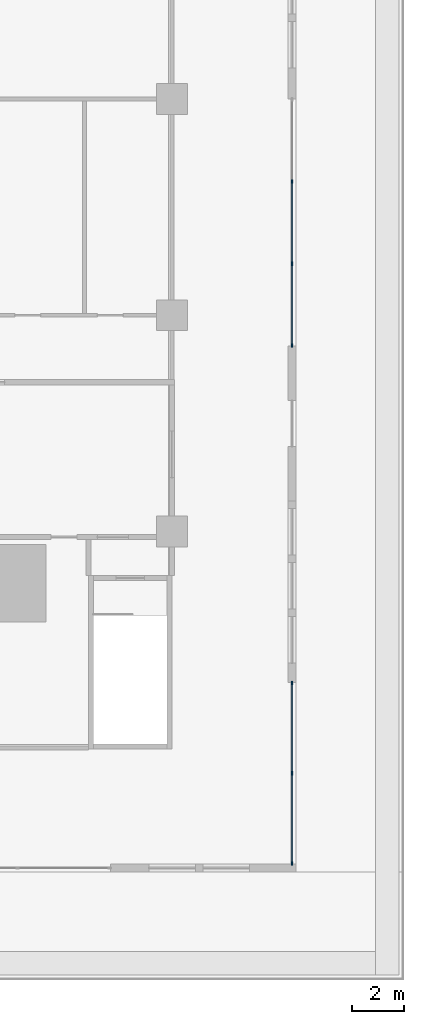
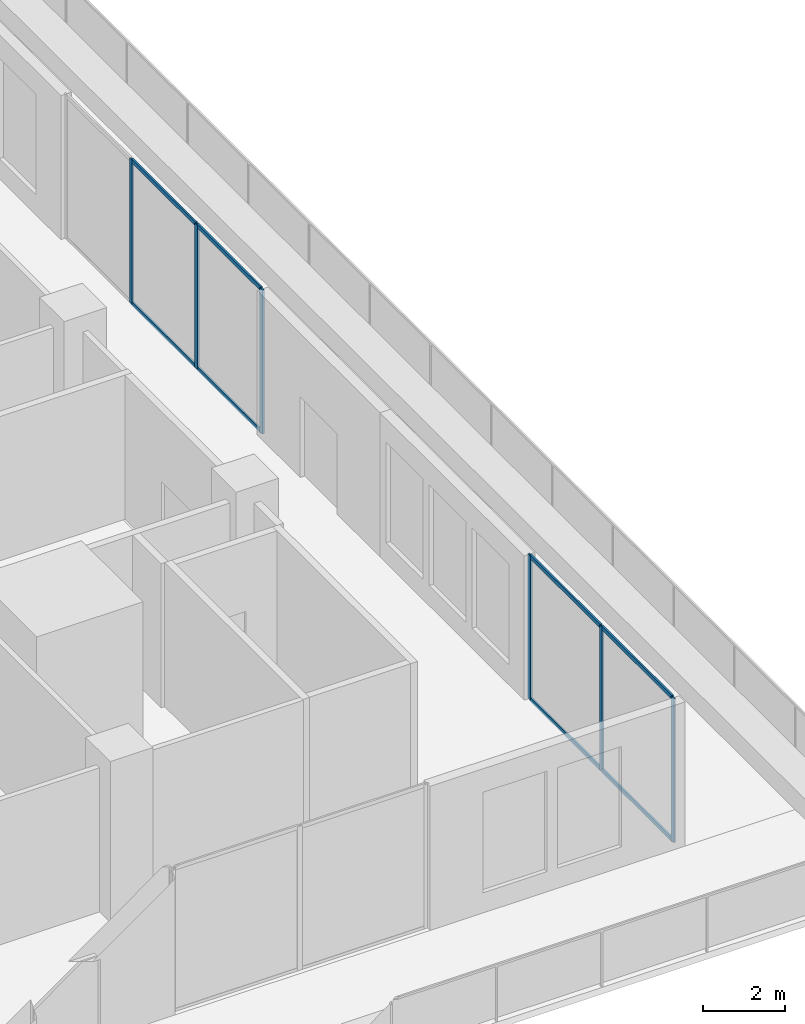
# One storey, part 7 of 22: 14 members, 2 elements without a shape of their own.
"""IFC4 building model written with IfcOpenShell, lengths in metres."""

from ifc_helpers import new_model, si_unit, direction, frame, origin, origin_2d, place, context, subcontext, project, spatial, rectangle, extrude, material, material_profile, profile_set, type_object, element, aggregate, save


model = new_model("IFC4")

# Units and contexts
model_context = context("Model", 3, precision=1e-05, world=origin(), true_north=direction((0.0, 1.0)))
body_context = subcontext(model_context, "Body", "Model", "MODEL_VIEW")
ifc_project = project(units=[si_unit("LENGTHUNIT", "METRE"), si_unit("AREAUNIT", "SQUARE_METRE"), si_unit("VOLUMEUNIT", "CUBIC_METRE"), si_unit("PLANEANGLEUNIT", "RADIAN"), si_unit("MASSUNIT", "GRAM", prefix="KILO")], contexts=[model_context])

# Site, building, storey
site_placement = place(None, origin())
site = spatial("IfcSite", under=ifc_project, at=site_placement, CompositionType="ELEMENT")
building_placement = place(site_placement, origin())
building = spatial("IfcBuilding", under=site, at=building_placement, Name="Khepri Terraces", CompositionType="ELEMENT")
storey_placement = place(building_placement, frame((0.0, 0.0, 22.199951171875)))
storey = spatial("IfcBuildingStorey", under=building, at=storey_placement, Name="L04", CompositionType="ELEMENT", Elevation=22.199951171875)

# Curtain wall, members
ifc_material_1 = material(Name="Anodised aluminium bronze curtain wall", Category="aluminium")
curtain_wall_type = type_object("IfcCurtainWallType", Name="CW-SYS6-LOUNGE", PredefinedType="NOTDEFINED", material=ifc_material_1)
curtain_wall_1_placement = place(storey_placement, origin())
curtain_wall_1 = element("IfcCurtainWall", 1, at=curtain_wall_1_placement, inside=storey, type_object=curtain_wall_type, Name="Curtain wall CW6 L04 E", PredefinedType="NOTDEFINED")
ifc_material_2 = material(Name="Anodised aluminium bronze", Category="aluminium")
ifc_material_profile_1 = material_profile(ifc_material_2, rectangle(XDim=0.050048828125, YDim=0.139892578125, at=origin_2d()), Name="Anodised aluminium bronze", Category="aluminium")
ifc_profile_set_1 = profile_set([ifc_material_profile_1], Name="Anodised aluminium bronze")
member_type_1 = type_object("IfcMemberType", Name="CW-MULLION-50x140", PredefinedType="MULLION", material=ifc_profile_set_1)
member_1_placement = place(storey_placement, frame((29.85009765625, -29.675048828125, 0.0), z_axis=(0.0, 0.0, 1.0), x_axis=(-1.0, 0.0, 0.0)))
member_1 = element("IfcMember", 2, at=member_1_placement, type_object=member_type_1, Name="CW6 mullion 1", PredefinedType="MULLION", context=body_context, shape_type="SweptSolid", body=[
    extrude(rectangle(XDim=0.050048828125, YDim=0.139892578125, at=origin_2d()), origin(), (0.0, 0.0, 1.0), 4.300048828125),
])
member_2_placement = place(storey_placement, frame((29.85009765625, -26.175048828125, 0.0), z_axis=(0.0, 0.0, 1.0), x_axis=(-1.0, 0.0, 0.0)))
member_2 = element("IfcMember", 3, at=member_2_placement, type_object=member_type_1, Name="CW6 mullion 2", PredefinedType="MULLION", context=body_context, shape_type="SweptSolid", body=[
    extrude(rectangle(XDim=0.050048828125, YDim=0.139892578125, at=origin_2d()), origin(), (0.0, 0.0, 1.0), 4.300048828125),
])
member_3_placement = place(storey_placement, frame((29.85009765625, -22.675048828125, 0.0), z_axis=(0.0, 0.0, 1.0), x_axis=(-1.0, 0.0, 0.0)))
member_3 = element("IfcMember", 4, at=member_3_placement, type_object=member_type_1, Name="CW6 mullion 3", PredefinedType="MULLION", context=body_context, shape_type="SweptSolid", body=[
    extrude(rectangle(XDim=0.050048828125, YDim=0.139892578125, at=origin_2d()), origin(), (0.0, 0.0, 1.0), 4.300048828125),
])

curtain_wall_2_placement = place(storey_placement, origin())
curtain_wall_2 = element("IfcCurtainWall", 5, at=curtain_wall_2_placement, inside=storey, type_object=curtain_wall_type, Name="Curtain wall CW6 L04 E", PredefinedType="NOTDEFINED")
member_4_placement = place(storey_placement, frame((29.85009765625, -9.574951171875, 0.0), z_axis=(0.0, 0.0, 1.0), x_axis=(-1.0, 0.0, 0.0)))
member_4 = element("IfcMember", 6, at=member_4_placement, type_object=member_type_1, Name="CW6 mullion 1", PredefinedType="MULLION", context=body_context, shape_type="SweptSolid", body=[
    extrude(rectangle(XDim=0.050048828125, YDim=0.139892578125, at=origin_2d()), origin(), (0.0, 0.0, 1.0), 4.300048828125),
])
member_5_placement = place(storey_placement, frame((29.85009765625, -6.39990234375, 0.0), z_axis=(0.0, 0.0, 1.0), x_axis=(-1.0, 0.0, 0.0)))
member_5 = element("IfcMember", 7, at=member_5_placement, type_object=member_type_1, Name="CW6 mullion 2", PredefinedType="MULLION", context=body_context, shape_type="SweptSolid", body=[
    extrude(rectangle(XDim=0.050048828125, YDim=0.139892578125, at=origin_2d()), origin(), (0.0, 0.0, 1.0), 4.300048828125),
])
member_6_placement = place(storey_placement, frame((29.85009765625, -3.199951171875, 0.0), z_axis=(0.0, 0.0, 1.0), x_axis=(-1.0, 0.0, 0.0)))
member_6 = element("IfcMember", 8, at=member_6_placement, type_object=member_type_1, Name="CW6 mullion 3", PredefinedType="MULLION", context=body_context, shape_type="SweptSolid", body=[
    extrude(rectangle(XDim=0.050048828125, YDim=0.139892578125, at=origin_2d()), origin(), (0.0, 0.0, 1.0), 4.300048828125),
])

# Member
ifc_material_profile_2 = material_profile(ifc_material_2, rectangle(XDim=0.050048828125, YDim=0.1201171875, at=origin_2d()), Name="Anodised aluminium bronze", Category="aluminium")
ifc_profile_set_2 = profile_set([ifc_material_profile_2], Name="Anodised aluminium bronze")
member_type_2 = type_object("IfcMemberType", Name="CW-TRANSOM-50x120", PredefinedType="USERDEFINED", material=ifc_profile_set_2)
member_7_placement = place(storey_placement, frame((29.85009765625, -29.64990234375, 0.025146484375), z_axis=(0.0, 1.0, 0.0), x_axis=(-1.0, 0.0, 0.0)))
member_7 = element("IfcMember", 9, at=member_7_placement, type_object=member_type_2, Name="CW6 transom 1.1", ObjectType="TRANSOM", PredefinedType="USERDEFINED", context=body_context, shape_type="SweptSolid", body=[
    extrude(rectangle(XDim=0.050048828125, YDim=0.1201171875, at=origin_2d()), origin(), (0.0, 0.0, 1.0), 3.449951171875),
])

member_8_placement = place(storey_placement, frame((29.85009765625, -29.64990234375, 4.275146484375), z_axis=(0.0, 1.0, 0.0), x_axis=(-1.0, 0.0, 0.0)))
member_8 = element("IfcMember", 10, at=member_8_placement, type_object=member_type_2, Name="CW6 transom 1.2", ObjectType="TRANSOM", PredefinedType="USERDEFINED", context=body_context, shape_type="SweptSolid", body=[
    extrude(rectangle(XDim=0.050048828125, YDim=0.1201171875, at=origin_2d()), origin(), (0.0, 0.0, 1.0), 3.449951171875),
])

member_9_placement = place(storey_placement, frame((29.85009765625, -26.14990234375, 0.025146484375), z_axis=(0.0, 1.0, 0.0), x_axis=(-1.0, 0.0, 0.0)))
member_9 = element("IfcMember", 11, at=member_9_placement, type_object=member_type_2, Name="CW6 transom 2.1", ObjectType="TRANSOM", PredefinedType="USERDEFINED", context=body_context, shape_type="SweptSolid", body=[
    extrude(rectangle(XDim=0.050048828125, YDim=0.1201171875, at=origin_2d()), origin(), (0.0, 0.0, 1.0), 3.449951171875),
])

member_10_placement = place(storey_placement, frame((29.85009765625, -26.14990234375, 4.275146484375), z_axis=(0.0, 1.0, 0.0), x_axis=(-1.0, 0.0, 0.0)))
member_10 = element("IfcMember", 12, at=member_10_placement, type_object=member_type_2, Name="CW6 transom 2.2", ObjectType="TRANSOM", PredefinedType="USERDEFINED", context=body_context, shape_type="SweptSolid", body=[
    extrude(rectangle(XDim=0.050048828125, YDim=0.1201171875, at=origin_2d()), origin(), (0.0, 0.0, 1.0), 3.449951171875),
])

aggregate(curtain_wall_1, [member_1, member_2, member_3, member_7, member_8, member_9, member_10])

member_11_placement = place(storey_placement, frame((29.85009765625, -9.550048828125, 0.025146484375), z_axis=(0.0, 1.0, 0.0), x_axis=(-1.0, 0.0, 0.0)))
member_11 = element("IfcMember", 13, at=member_11_placement, type_object=member_type_2, Name="CW6 transom 1.1", ObjectType="TRANSOM", PredefinedType="USERDEFINED", context=body_context, shape_type="SweptSolid", body=[
    extrude(rectangle(XDim=0.050048828125, YDim=0.1201171875, at=origin_2d()), origin(), (0.0, 0.0, 1.0), 3.125),
])

member_12_placement = place(storey_placement, frame((29.85009765625, -9.550048828125, 4.275146484375), z_axis=(0.0, 1.0, 0.0), x_axis=(-1.0, 0.0, 0.0)))
member_12 = element("IfcMember", 14, at=member_12_placement, type_object=member_type_2, Name="CW6 transom 1.2", ObjectType="TRANSOM", PredefinedType="USERDEFINED", context=body_context, shape_type="SweptSolid", body=[
    extrude(rectangle(XDim=0.050048828125, YDim=0.1201171875, at=origin_2d()), origin(), (0.0, 0.0, 1.0), 3.125),
])

member_13_placement = place(storey_placement, frame((29.85009765625, -6.375, 0.025146484375), z_axis=(0.0, 1.0, 0.0), x_axis=(-1.0, 0.0, 0.0)))
member_13 = element("IfcMember", 15, at=member_13_placement, type_object=member_type_2, Name="CW6 transom 2.1", ObjectType="TRANSOM", PredefinedType="USERDEFINED", context=body_context, shape_type="SweptSolid", body=[
    extrude(rectangle(XDim=0.050048828125, YDim=0.1201171875, at=origin_2d()), origin(), (0.0, 0.0, 1.0), 3.14990234375),
])

member_14_placement = place(storey_placement, frame((29.85009765625, -6.375, 4.275146484375), z_axis=(0.0, 1.0, 0.0), x_axis=(-1.0, 0.0, 0.0)))
member_14 = element("IfcMember", 16, at=member_14_placement, type_object=member_type_2, Name="CW6 transom 2.2", ObjectType="TRANSOM", PredefinedType="USERDEFINED", context=body_context, shape_type="SweptSolid", body=[
    extrude(rectangle(XDim=0.050048828125, YDim=0.1201171875, at=origin_2d()), origin(), (0.0, 0.0, 1.0), 3.14990234375),
])

aggregate(curtain_wall_2, [member_4, member_5, member_6, member_11, member_12, member_13, member_14])

save(model, "model.ifc")
